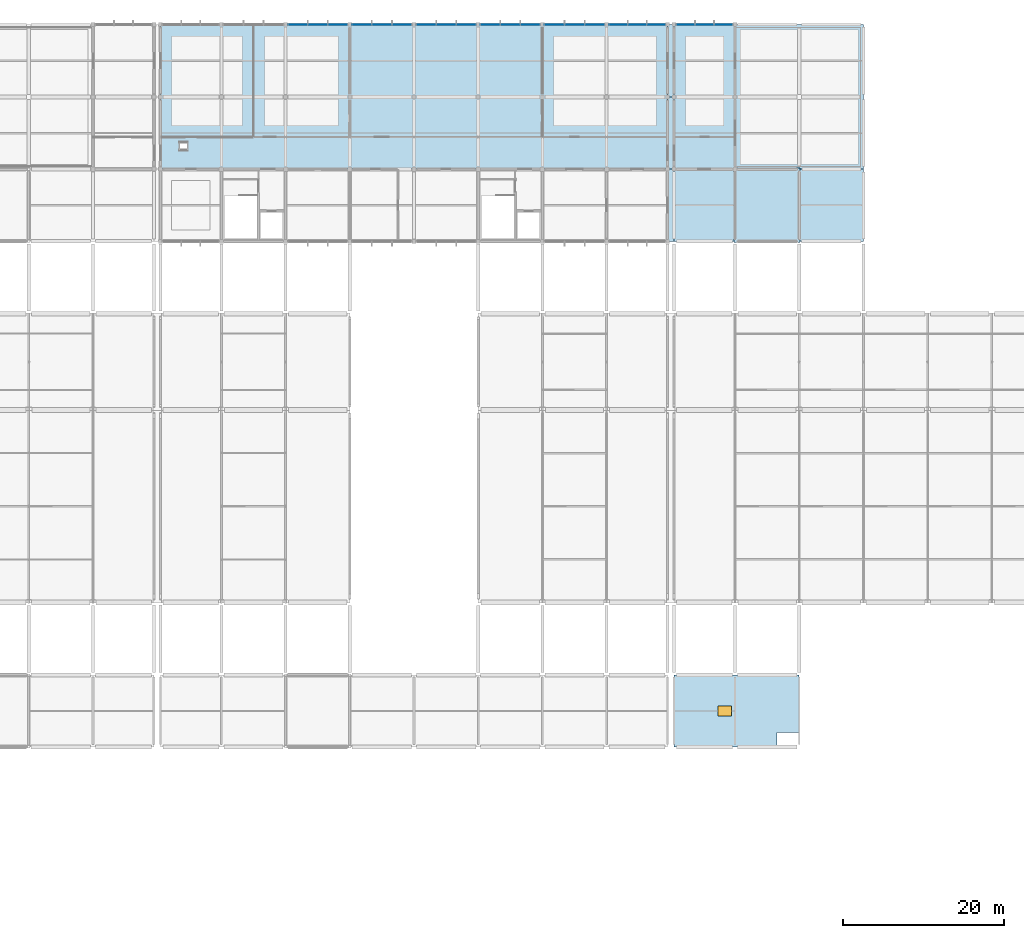
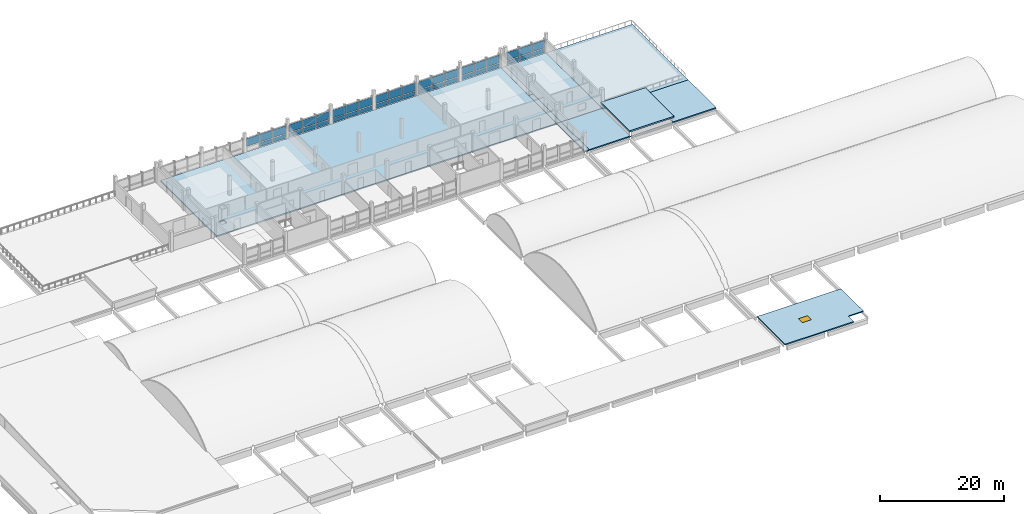
# One storey, part 44 of 57: 41 plates, 9 slabs, 1 window, 1 opening, 7 elements without a shape of their own.
"""IFC4 building model written with IfcOpenShell, lengths in metres."""

from ifc_helpers import new_model, si_unit, direction, frame, origin, origin_2d, place, context, subcontext, project, spatial, polyline, rectangle, outline, extrude, material, layer, layer_set, type_object, element, fill, aggregate, save


model = new_model("IFC4")

# Units and contexts
model_context = context("Model", 3, precision=1e-05, world=origin(), true_north=direction((0.0, 1.0)))
body_context = subcontext(model_context, "Body", "Model", "MODEL_VIEW")
ifc_project = project(units=[si_unit("LENGTHUNIT", "METRE"), si_unit("AREAUNIT", "SQUARE_METRE"), si_unit("VOLUMEUNIT", "CUBIC_METRE"), si_unit("PLANEANGLEUNIT", "RADIAN"), si_unit("MASSUNIT", "GRAM", prefix="KILO"), si_unit("THERMODYNAMICTEMPERATUREUNIT", "KELVIN"), si_unit("POWERUNIT", "WATT")], contexts=[model_context])

# Site, building, storey
site_placement = place(None, origin())
site = spatial("IfcSite", under=ifc_project, at=site_placement, CompositionType="ELEMENT")
building_placement = place(site_placement, origin())
building = spatial("IfcBuilding", under=site, at=building_placement, Name="Kronsvod Quay Wholesale Market", CompositionType="ELEMENT")
storey_placement = place(building_placement, frame((0.0, 0.0, 13.199951171875)))
storey = spatial("IfcBuildingStorey", under=building, at=storey_placement, Name="L03", CompositionType="ELEMENT", Elevation=13.199951171875)

# Curtain wall, plate
ifc_material_1 = material(Name="Thermally broken aluminium and triple low-E glazing", Category="aluminium")
curtain_wall_type_1 = type_object("IfcCurtainWallType", Name="CW_Harbour76x30", PredefinedType="NOTDEFINED", material=ifc_material_1)
curtain_wall_1_placement = place(storey_placement, origin())
curtain_wall_1 = element("IfcCurtainWall", 1, at=curtain_wall_1_placement, inside=storey, type_object=curtain_wall_type_1, Name="CWGX-L03-1200-1260", PredefinedType="NOTDEFINED")
ifc_material_2 = material(Name="Insulated aluminium spandrel panel", Category="aluminium")
ifc_layer_1 = layer(ifc_material_2, 0.048095703125)
ifc_layer_set_1 = layer_set([ifc_layer_1], Name="Insulated aluminium spandrel panel")
plate_type_1 = type_object("IfcPlateType", Name="CWPanel_SP2257x775", PredefinedType="CURTAIN_PANEL", material=ifc_layer_set_1)
plate_1_placement = place(storey_placement, frame((126.1513671875, 126.0, 0.150146484375), z_axis=(0.0, 0.0, 1.0), x_axis=(-1.0, 0.0, 0.0)))
plate_1 = element("IfcPlate", 2, at=plate_1_placement, type_object=plate_type_1, Name="CWGX-L03-1200-1260-PS1", PredefinedType="CURTAIN_PANEL", context=body_context, shape_type="SweptSolid", body=[
    extrude(rectangle(XDim=2.257080078125, YDim=0.048095703125, at=origin_2d()), origin(), (0.0, 0.0, 1.0), 0.77490234375),
])

# Curtain wall, plates
curtain_wall_2_placement = place(storey_placement, origin())
curtain_wall_2 = element("IfcCurtainWall", 3, at=curtain_wall_2_placement, inside=storey, type_object=curtain_wall_type_1, Name="CWGX-L03-1284-1260", PredefinedType="NOTDEFINED")
plate_2_placement = place(storey_placement, frame((134.55126953125, 126.0, 0.150146484375), z_axis=(0.0, 0.0, 1.0), x_axis=(-1.0, 0.0, 0.0)))
plate_2 = element("IfcPlate", 4, at=plate_2_placement, type_object=plate_type_1, Name="CWGX-L03-1284-1260-PS1", PredefinedType="CURTAIN_PANEL", context=body_context, shape_type="SweptSolid", body=[
    extrude(rectangle(XDim=2.257080078125, YDim=0.048095703125, at=origin_2d()), origin(), (0.0, 0.0, 1.0), 0.77490234375),
])
plate_3_placement = place(storey_placement, frame((129.8486328125, 126.0, 0.150146484375), z_axis=(0.0, 0.0, 1.0), x_axis=(-1.0, 0.0, 0.0)))
plate_3 = element("IfcPlate", 5, at=plate_3_placement, type_object=plate_type_1, Name="CWGX-L03-1284-1260-PS3", PredefinedType="CURTAIN_PANEL", context=body_context, shape_type="SweptSolid", body=[
    extrude(rectangle(XDim=2.257080078125, YDim=0.048095703125, at=origin_2d()), origin(), (0.0, 0.0, 1.0), 0.77490234375),
])

# Plate
ifc_material_3 = material(Name="Insulated aluminium spandrel panel", Category="aluminium")
ifc_layer_2 = layer(ifc_material_3, 0.048095703125)
ifc_layer_set_2 = layer_set([ifc_layer_2], Name="Insulated aluminium spandrel panel")
plate_type_2 = type_object("IfcPlateType", Name="CWPanel_SP2258x775", PredefinedType="CURTAIN_PANEL", material=ifc_layer_set_2)
plate_4_placement = place(storey_placement, frame((121.44873046875, 126.0, 0.150146484375), z_axis=(0.0, 0.0, 1.0), x_axis=(-1.0, 0.0, 0.0)))
plate_4 = element("IfcPlate", 6, at=plate_4_placement, type_object=plate_type_2, Name="CWGX-L03-1200-1260-PS3", PredefinedType="CURTAIN_PANEL", context=body_context, shape_type="SweptSolid", body=[
    extrude(rectangle(XDim=2.258056640625, YDim=0.048095703125, at=origin_2d()), origin(), (0.0, 0.0, 1.0), 0.77490234375),
])

ifc_material_4 = material(Name="Insulated aluminium spandrel panel", Category="aluminium")
ifc_layer_3 = layer(ifc_material_4, 0.048095703125)
ifc_layer_set_3 = layer_set([ifc_layer_3], Name="Insulated aluminium spandrel panel")
plate_type_3 = type_object("IfcPlateType", Name="CWPanel_SP2295x775", PredefinedType="CURTAIN_PANEL", material=ifc_layer_set_3)
plate_5_placement = place(storey_placement, frame((123.800048828125, 126.0, 0.150146484375), z_axis=(0.0, 0.0, 1.0), x_axis=(-1.0, 0.0, 0.0)))
plate_5 = element("IfcPlate", 7, at=plate_5_placement, type_object=plate_type_3, Name="CWGX-L03-1200-1260-PS2", PredefinedType="CURTAIN_PANEL", context=body_context, shape_type="SweptSolid", body=[
    extrude(rectangle(XDim=2.294921875, YDim=0.048095703125, at=origin_2d()), origin(), (0.0, 0.0, 1.0), 0.77490234375),
])

plate_6_placement = place(storey_placement, frame((132.199951171875, 126.0, 0.150146484375), z_axis=(0.0, 0.0, 1.0), x_axis=(-1.0, 0.0, 0.0)))
plate_6 = element("IfcPlate", 8, at=plate_6_placement, type_object=plate_type_3, Name="CWGX-L03-1284-1260-PS2", PredefinedType="CURTAIN_PANEL", context=body_context, shape_type="SweptSolid", body=[
    extrude(rectangle(XDim=2.294921875, YDim=0.048095703125, at=origin_2d()), origin(), (0.0, 0.0, 1.0), 0.77490234375),
])

# Curtain wall, plate
ifc_material_5 = material(Name="Thermally broken aluminium and triple low-E glazing", Category="aluminium")
curtain_wall_type_2 = type_object("IfcCurtainWallType", Name="CW_Harbour80x30", PredefinedType="NOTDEFINED", material=ifc_material_5)
curtain_wall_3_placement = place(storey_placement, origin())
curtain_wall_3 = element("IfcCurtainWall", 9, at=curtain_wall_3_placement, inside=storey, type_object=curtain_wall_type_2, Name="CWGX-L03-800-1260", PredefinedType="NOTDEFINED")
ifc_material_6 = material(Name="Insulated aluminium spandrel panel", Category="aluminium")
ifc_layer_4 = layer(ifc_material_6, 0.048095703125)
ifc_layer_set_4 = layer_set([ifc_layer_4], Name="Insulated aluminium spandrel panel")
plate_type_4 = type_object("IfcPlateType", Name="CWPanel_SP2391x775", PredefinedType="CURTAIN_PANEL", material=ifc_layer_set_4)
plate_7_placement = place(storey_placement, frame((86.484619140625, 126.0, 0.150146484375), z_axis=(0.0, 0.0, 1.0), x_axis=(-1.0, 0.0, 0.0)))
plate_7 = element("IfcPlate", 10, at=plate_7_placement, type_object=plate_type_4, Name="CWGX-L03-800-1260-PS1", PredefinedType="CURTAIN_PANEL", context=body_context, shape_type="SweptSolid", body=[
    extrude(rectangle(XDim=2.39111328125, YDim=0.048095703125, at=origin_2d()), origin(), (0.0, 0.0, 1.0), 0.77490234375),
])

# Curtain wall, plates
curtain_wall_4_placement = place(storey_placement, origin())
curtain_wall_4 = element("IfcCurtainWall", 11, at=curtain_wall_4_placement, inside=storey, type_object=curtain_wall_type_2, Name="CWGX-L03-880-1260", PredefinedType="NOTDEFINED")
plate_8_placement = place(storey_placement, frame((94.484619140625, 126.0, 0.150146484375), z_axis=(0.0, 0.0, 1.0), x_axis=(-1.0, 0.0, 0.0)))
plate_8 = element("IfcPlate", 12, at=plate_8_placement, type_object=plate_type_4, Name="CWGX-L03-880-1260-PS1", PredefinedType="CURTAIN_PANEL", context=body_context, shape_type="SweptSolid", body=[
    extrude(rectangle(XDim=2.39111328125, YDim=0.048095703125, at=origin_2d()), origin(), (0.0, 0.0, 1.0), 0.77490234375),
])
plate_9_placement = place(storey_placement, frame((89.515380859375, 126.0, 0.150146484375), z_axis=(0.0, 0.0, 1.0), x_axis=(-1.0, 0.0, 0.0)))
plate_9 = element("IfcPlate", 13, at=plate_9_placement, type_object=plate_type_4, Name="CWGX-L03-880-1260-PS3", PredefinedType="CURTAIN_PANEL", context=body_context, shape_type="SweptSolid", body=[
    extrude(rectangle(XDim=2.39111328125, YDim=0.048095703125, at=origin_2d()), origin(), (0.0, 0.0, 1.0), 0.77490234375),
])

curtain_wall_5_placement = place(storey_placement, origin())
curtain_wall_5 = element("IfcCurtainWall", 14, at=curtain_wall_5_placement, inside=storey, type_object=curtain_wall_type_2, Name="CWGX-L03-960-1260", PredefinedType="NOTDEFINED")
plate_10_placement = place(storey_placement, frame((102.484619140625, 126.0, 0.150146484375), z_axis=(0.0, 0.0, 1.0), x_axis=(-1.0, 0.0, 0.0)))
plate_10 = element("IfcPlate", 15, at=plate_10_placement, type_object=plate_type_4, Name="CWGX-L03-960-1260-PS1", PredefinedType="CURTAIN_PANEL", context=body_context, shape_type="SweptSolid", body=[
    extrude(rectangle(XDim=2.39111328125, YDim=0.048095703125, at=origin_2d()), origin(), (0.0, 0.0, 1.0), 0.77490234375),
])
plate_11_placement = place(storey_placement, frame((97.515380859375, 126.0, 0.150146484375), z_axis=(0.0, 0.0, 1.0), x_axis=(-1.0, 0.0, 0.0)))
plate_11 = element("IfcPlate", 16, at=plate_11_placement, type_object=plate_type_4, Name="CWGX-L03-960-1260-PS3", PredefinedType="CURTAIN_PANEL", context=body_context, shape_type="SweptSolid", body=[
    extrude(rectangle(XDim=2.39111328125, YDim=0.048095703125, at=origin_2d()), origin(), (0.0, 0.0, 1.0), 0.77490234375),
])

curtain_wall_6_placement = place(storey_placement, origin())
curtain_wall_6 = element("IfcCurtainWall", 17, at=curtain_wall_6_placement, inside=storey, type_object=curtain_wall_type_2, Name="CWGX-L03-1040-1260", PredefinedType="NOTDEFINED")
plate_12_placement = place(storey_placement, frame((110.484619140625, 126.0, 0.150146484375), z_axis=(0.0, 0.0, 1.0), x_axis=(-1.0, 0.0, 0.0)))
plate_12 = element("IfcPlate", 18, at=plate_12_placement, type_object=plate_type_4, Name="CWGX-L03-1040-1260-PS1", PredefinedType="CURTAIN_PANEL", context=body_context, shape_type="SweptSolid", body=[
    extrude(rectangle(XDim=2.39111328125, YDim=0.048095703125, at=origin_2d()), origin(), (0.0, 0.0, 1.0), 0.77490234375),
])
plate_13_placement = place(storey_placement, frame((105.515380859375, 126.0, 0.150146484375), z_axis=(0.0, 0.0, 1.0), x_axis=(-1.0, 0.0, 0.0)))
plate_13 = element("IfcPlate", 19, at=plate_13_placement, type_object=plate_type_4, Name="CWGX-L03-1040-1260-PS3", PredefinedType="CURTAIN_PANEL", context=body_context, shape_type="SweptSolid", body=[
    extrude(rectangle(XDim=2.39111328125, YDim=0.048095703125, at=origin_2d()), origin(), (0.0, 0.0, 1.0), 0.77490234375),
])

curtain_wall_7_placement = place(storey_placement, origin())
curtain_wall_7 = element("IfcCurtainWall", 20, at=curtain_wall_7_placement, inside=storey, type_object=curtain_wall_type_2, Name="CWGX-L03-1120-1260", PredefinedType="NOTDEFINED")
plate_14_placement = place(storey_placement, frame((118.484619140625, 126.0, 0.150146484375), z_axis=(0.0, 0.0, 1.0), x_axis=(-1.0, 0.0, 0.0)))
plate_14 = element("IfcPlate", 21, at=plate_14_placement, type_object=plate_type_4, Name="CWGX-L03-1120-1260-PS1", PredefinedType="CURTAIN_PANEL", context=body_context, shape_type="SweptSolid", body=[
    extrude(rectangle(XDim=2.39111328125, YDim=0.048095703125, at=origin_2d()), origin(), (0.0, 0.0, 1.0), 0.77490234375),
])
plate_15_placement = place(storey_placement, frame((113.515380859375, 126.0, 0.150146484375), z_axis=(0.0, 0.0, 1.0), x_axis=(-1.0, 0.0, 0.0)))
plate_15 = element("IfcPlate", 22, at=plate_15_placement, type_object=plate_type_4, Name="CWGX-L03-1120-1260-PS3", PredefinedType="CURTAIN_PANEL", context=body_context, shape_type="SweptSolid", body=[
    extrude(rectangle(XDim=2.39111328125, YDim=0.048095703125, at=origin_2d()), origin(), (0.0, 0.0, 1.0), 0.77490234375),
])

# Plate
ifc_material_7 = material(Name="Insulated aluminium spandrel panel", Category="aluminium")
ifc_layer_5 = layer(ifc_material_7, 0.048095703125)
ifc_layer_set_5 = layer_set([ifc_layer_5], Name="Insulated aluminium spandrel panel")
plate_type_5 = type_object("IfcPlateType", Name="CWPanel_SP2428x775", PredefinedType="CURTAIN_PANEL", material=ifc_layer_set_5)
plate_16_placement = place(storey_placement, frame((84.0, 126.0, 0.150146484375), z_axis=(0.0, 0.0, 1.0), x_axis=(-1.0, 0.0, 0.0)))
plate_16 = element("IfcPlate", 23, at=plate_16_placement, type_object=plate_type_5, Name="CWGX-L03-800-1260-PS2", PredefinedType="CURTAIN_PANEL", context=body_context, shape_type="SweptSolid", body=[
    extrude(rectangle(XDim=2.427978515625, YDim=0.048095703125, at=origin_2d()), origin(), (0.0, 0.0, 1.0), 0.77490234375),
])

plate_17_placement = place(storey_placement, frame((92.0, 126.0, 0.150146484375), z_axis=(0.0, 0.0, 1.0), x_axis=(-1.0, 0.0, 0.0)))
plate_17 = element("IfcPlate", 24, at=plate_17_placement, type_object=plate_type_5, Name="CWGX-L03-880-1260-PS2", PredefinedType="CURTAIN_PANEL", context=body_context, shape_type="SweptSolid", body=[
    extrude(rectangle(XDim=2.427978515625, YDim=0.048095703125, at=origin_2d()), origin(), (0.0, 0.0, 1.0), 0.77490234375),
])

plate_18_placement = place(storey_placement, frame((100.0, 126.0, 0.150146484375), z_axis=(0.0, 0.0, 1.0), x_axis=(-1.0, 0.0, 0.0)))
plate_18 = element("IfcPlate", 25, at=plate_18_placement, type_object=plate_type_5, Name="CWGX-L03-960-1260-PS2", PredefinedType="CURTAIN_PANEL", context=body_context, shape_type="SweptSolid", body=[
    extrude(rectangle(XDim=2.427978515625, YDim=0.048095703125, at=origin_2d()), origin(), (0.0, 0.0, 1.0), 0.77490234375),
])

plate_19_placement = place(storey_placement, frame((108.0, 126.0, 0.150146484375), z_axis=(0.0, 0.0, 1.0), x_axis=(-1.0, 0.0, 0.0)))
plate_19 = element("IfcPlate", 26, at=plate_19_placement, type_object=plate_type_5, Name="CWGX-L03-1040-1260-PS2", PredefinedType="CURTAIN_PANEL", context=body_context, shape_type="SweptSolid", body=[
    extrude(rectangle(XDim=2.427978515625, YDim=0.048095703125, at=origin_2d()), origin(), (0.0, 0.0, 1.0), 0.77490234375),
])

plate_20_placement = place(storey_placement, frame((116.0, 126.0, 0.150146484375), z_axis=(0.0, 0.0, 1.0), x_axis=(-1.0, 0.0, 0.0)))
plate_20 = element("IfcPlate", 27, at=plate_20_placement, type_object=plate_type_5, Name="CWGX-L03-1120-1260-PS2", PredefinedType="CURTAIN_PANEL", context=body_context, shape_type="SweptSolid", body=[
    extrude(rectangle(XDim=2.427978515625, YDim=0.048095703125, at=origin_2d()), origin(), (0.0, 0.0, 1.0), 0.77490234375),
])

ifc_material_8 = material(Name="Triple low-E insulated glazing", Category="glass")
ifc_layer_6 = layer(ifc_material_8, 0.0439453125)
ifc_layer_set_6 = layer_set([ifc_layer_6], Name="Triple low-E insulated glazing")
plate_type_6 = type_object("IfcPlateType", Name="CWPanel_VS2257x1525", PredefinedType="CURTAIN_PANEL", material=ifc_layer_set_6)
plate_21_placement = place(storey_placement, frame((126.1513671875, 126.0, 1.0751953125), z_axis=(0.0, 0.0, 1.0), x_axis=(-1.0, 0.0, 0.0)))
plate_21 = element("IfcPlate", 28, at=plate_21_placement, type_object=plate_type_6, Name="CWGX-L03-1200-1260-PV1", PredefinedType="CURTAIN_PANEL", context=body_context, shape_type="SweptSolid", body=[
    extrude(rectangle(XDim=2.257080078125, YDim=0.0439453125, at=origin_2d()), origin(), (0.0, 0.0, 1.0), 1.52490234375),
])

plate_22_placement = place(storey_placement, frame((134.55126953125, 126.0, 1.0751953125), z_axis=(0.0, 0.0, 1.0), x_axis=(-1.0, 0.0, 0.0)))
plate_22 = element("IfcPlate", 29, at=plate_22_placement, type_object=plate_type_6, Name="CWGX-L03-1284-1260-PV1", PredefinedType="CURTAIN_PANEL", context=body_context, shape_type="SweptSolid", body=[
    extrude(rectangle(XDim=2.257080078125, YDim=0.0439453125, at=origin_2d()), origin(), (0.0, 0.0, 1.0), 1.52490234375),
])

plate_23_placement = place(storey_placement, frame((129.8486328125, 126.0, 1.0751953125), z_axis=(0.0, 0.0, 1.0), x_axis=(-1.0, 0.0, 0.0)))
plate_23 = element("IfcPlate", 30, at=plate_23_placement, type_object=plate_type_6, Name="CWGX-L03-1284-1260-PV3", PredefinedType="CURTAIN_PANEL", context=body_context, shape_type="SweptSolid", body=[
    extrude(rectangle(XDim=2.257080078125, YDim=0.0439453125, at=origin_2d()), origin(), (0.0, 0.0, 1.0), 1.52490234375),
])

ifc_material_9 = material(Name="Triple low-E insulated glazing", Category="glass")
ifc_layer_7 = layer(ifc_material_9, 0.0439453125)
ifc_layer_set_7 = layer_set([ifc_layer_7], Name="Triple low-E insulated glazing")
plate_type_7 = type_object("IfcPlateType", Name="CWPanel_VS2258x1525", PredefinedType="CURTAIN_PANEL", material=ifc_layer_set_7)
plate_24_placement = place(storey_placement, frame((121.44873046875, 126.0, 1.0751953125), z_axis=(0.0, 0.0, 1.0), x_axis=(-1.0, 0.0, 0.0)))
plate_24 = element("IfcPlate", 31, at=plate_24_placement, type_object=plate_type_7, Name="CWGX-L03-1200-1260-PV3", PredefinedType="CURTAIN_PANEL", context=body_context, shape_type="SweptSolid", body=[
    extrude(rectangle(XDim=2.258056640625, YDim=0.0439453125, at=origin_2d()), origin(), (0.0, 0.0, 1.0), 1.52490234375),
])

ifc_material_10 = material(Name="Triple low-E insulated glazing", Category="glass")
ifc_layer_8 = layer(ifc_material_10, 0.0439453125)
ifc_layer_set_8 = layer_set([ifc_layer_8], Name="Triple low-E insulated glazing")
plate_type_8 = type_object("IfcPlateType", Name="CWPanel_VS2295x1525", PredefinedType="CURTAIN_PANEL", material=ifc_layer_set_8)
plate_25_placement = place(storey_placement, frame((123.800048828125, 126.0, 1.0751953125), z_axis=(0.0, 0.0, 1.0), x_axis=(-1.0, 0.0, 0.0)))
plate_25 = element("IfcPlate", 32, at=plate_25_placement, type_object=plate_type_8, Name="CWGX-L03-1200-1260-PV2", PredefinedType="CURTAIN_PANEL", context=body_context, shape_type="SweptSolid", body=[
    extrude(rectangle(XDim=2.294921875, YDim=0.0439453125, at=origin_2d()), origin(), (0.0, 0.0, 1.0), 1.52490234375),
])

aggregate(curtain_wall_1, [plate_1, plate_21, plate_5, plate_25, plate_4, plate_24])

plate_26_placement = place(storey_placement, frame((132.199951171875, 126.0, 1.0751953125), z_axis=(0.0, 0.0, 1.0), x_axis=(-1.0, 0.0, 0.0)))
plate_26 = element("IfcPlate", 33, at=plate_26_placement, type_object=plate_type_8, Name="CWGX-L03-1284-1260-PV2", PredefinedType="CURTAIN_PANEL", context=body_context, shape_type="SweptSolid", body=[
    extrude(rectangle(XDim=2.294921875, YDim=0.0439453125, at=origin_2d()), origin(), (0.0, 0.0, 1.0), 1.52490234375),
])

aggregate(curtain_wall_2, [plate_2, plate_22, plate_6, plate_26, plate_3, plate_23])

ifc_material_11 = material(Name="Triple low-E insulated glazing", Category="glass")
ifc_layer_9 = layer(ifc_material_11, 0.0439453125)
ifc_layer_set_9 = layer_set([ifc_layer_9], Name="Triple low-E insulated glazing")
plate_type_9 = type_object("IfcPlateType", Name="CWPanel_VS2391x1525", PredefinedType="CURTAIN_PANEL", material=ifc_layer_set_9)
plate_27_placement = place(storey_placement, frame((86.484619140625, 126.0, 1.0751953125), z_axis=(0.0, 0.0, 1.0), x_axis=(-1.0, 0.0, 0.0)))
plate_27 = element("IfcPlate", 34, at=plate_27_placement, type_object=plate_type_9, Name="CWGX-L03-800-1260-PV1", PredefinedType="CURTAIN_PANEL", context=body_context, shape_type="SweptSolid", body=[
    extrude(rectangle(XDim=2.39111328125, YDim=0.0439453125, at=origin_2d()), origin(), (0.0, 0.0, 1.0), 1.52490234375),
])

plate_28_placement = place(storey_placement, frame((81.515380859375, 126.0, 1.0751953125), z_axis=(0.0, 0.0, 1.0), x_axis=(-1.0, 0.0, 0.0)))
plate_28 = element("IfcPlate", 35, at=plate_28_placement, type_object=plate_type_9, Name="CWGX-L03-800-1260-PV3", PredefinedType="CURTAIN_PANEL", context=body_context, shape_type="SweptSolid", body=[
    extrude(rectangle(XDim=2.39111328125, YDim=0.0439453125, at=origin_2d()), origin(), (0.0, 0.0, 1.0), 1.52490234375),
])

plate_29_placement = place(storey_placement, frame((94.484619140625, 126.0, 1.0751953125), z_axis=(0.0, 0.0, 1.0), x_axis=(-1.0, 0.0, 0.0)))
plate_29 = element("IfcPlate", 36, at=plate_29_placement, type_object=plate_type_9, Name="CWGX-L03-880-1260-PV1", PredefinedType="CURTAIN_PANEL", context=body_context, shape_type="SweptSolid", body=[
    extrude(rectangle(XDim=2.39111328125, YDim=0.0439453125, at=origin_2d()), origin(), (0.0, 0.0, 1.0), 1.52490234375),
])

plate_30_placement = place(storey_placement, frame((89.515380859375, 126.0, 1.0751953125), z_axis=(0.0, 0.0, 1.0), x_axis=(-1.0, 0.0, 0.0)))
plate_30 = element("IfcPlate", 37, at=plate_30_placement, type_object=plate_type_9, Name="CWGX-L03-880-1260-PV3", PredefinedType="CURTAIN_PANEL", context=body_context, shape_type="SweptSolid", body=[
    extrude(rectangle(XDim=2.39111328125, YDim=0.0439453125, at=origin_2d()), origin(), (0.0, 0.0, 1.0), 1.52490234375),
])

plate_31_placement = place(storey_placement, frame((102.484619140625, 126.0, 1.0751953125), z_axis=(0.0, 0.0, 1.0), x_axis=(-1.0, 0.0, 0.0)))
plate_31 = element("IfcPlate", 38, at=plate_31_placement, type_object=plate_type_9, Name="CWGX-L03-960-1260-PV1", PredefinedType="CURTAIN_PANEL", context=body_context, shape_type="SweptSolid", body=[
    extrude(rectangle(XDim=2.39111328125, YDim=0.0439453125, at=origin_2d()), origin(), (0.0, 0.0, 1.0), 1.52490234375),
])

plate_32_placement = place(storey_placement, frame((97.515380859375, 126.0, 1.0751953125), z_axis=(0.0, 0.0, 1.0), x_axis=(-1.0, 0.0, 0.0)))
plate_32 = element("IfcPlate", 39, at=plate_32_placement, type_object=plate_type_9, Name="CWGX-L03-960-1260-PV3", PredefinedType="CURTAIN_PANEL", context=body_context, shape_type="SweptSolid", body=[
    extrude(rectangle(XDim=2.39111328125, YDim=0.0439453125, at=origin_2d()), origin(), (0.0, 0.0, 1.0), 1.52490234375),
])

plate_33_placement = place(storey_placement, frame((110.484619140625, 126.0, 1.0751953125), z_axis=(0.0, 0.0, 1.0), x_axis=(-1.0, 0.0, 0.0)))
plate_33 = element("IfcPlate", 40, at=plate_33_placement, type_object=plate_type_9, Name="CWGX-L03-1040-1260-PV1", PredefinedType="CURTAIN_PANEL", context=body_context, shape_type="SweptSolid", body=[
    extrude(rectangle(XDim=2.39111328125, YDim=0.0439453125, at=origin_2d()), origin(), (0.0, 0.0, 1.0), 1.52490234375),
])

plate_34_placement = place(storey_placement, frame((105.515380859375, 126.0, 1.0751953125), z_axis=(0.0, 0.0, 1.0), x_axis=(-1.0, 0.0, 0.0)))
plate_34 = element("IfcPlate", 41, at=plate_34_placement, type_object=plate_type_9, Name="CWGX-L03-1040-1260-PV3", PredefinedType="CURTAIN_PANEL", context=body_context, shape_type="SweptSolid", body=[
    extrude(rectangle(XDim=2.39111328125, YDim=0.0439453125, at=origin_2d()), origin(), (0.0, 0.0, 1.0), 1.52490234375),
])

plate_35_placement = place(storey_placement, frame((118.484619140625, 126.0, 1.0751953125), z_axis=(0.0, 0.0, 1.0), x_axis=(-1.0, 0.0, 0.0)))
plate_35 = element("IfcPlate", 42, at=plate_35_placement, type_object=plate_type_9, Name="CWGX-L03-1120-1260-PV1", PredefinedType="CURTAIN_PANEL", context=body_context, shape_type="SweptSolid", body=[
    extrude(rectangle(XDim=2.39111328125, YDim=0.0439453125, at=origin_2d()), origin(), (0.0, 0.0, 1.0), 1.52490234375),
])

plate_36_placement = place(storey_placement, frame((113.515380859375, 126.0, 1.0751953125), z_axis=(0.0, 0.0, 1.0), x_axis=(-1.0, 0.0, 0.0)))
plate_36 = element("IfcPlate", 43, at=plate_36_placement, type_object=plate_type_9, Name="CWGX-L03-1120-1260-PV3", PredefinedType="CURTAIN_PANEL", context=body_context, shape_type="SweptSolid", body=[
    extrude(rectangle(XDim=2.39111328125, YDim=0.0439453125, at=origin_2d()), origin(), (0.0, 0.0, 1.0), 1.52490234375),
])

ifc_material_12 = material(Name="Triple low-E insulated glazing", Category="glass")
ifc_layer_10 = layer(ifc_material_12, 0.0439453125)
ifc_layer_set_10 = layer_set([ifc_layer_10], Name="Triple low-E insulated glazing")
plate_type_10 = type_object("IfcPlateType", Name="CWPanel_VS2428x1525", PredefinedType="CURTAIN_PANEL", material=ifc_layer_set_10)
plate_37_placement = place(storey_placement, frame((84.0, 126.0, 1.0751953125), z_axis=(0.0, 0.0, 1.0), x_axis=(-1.0, 0.0, 0.0)))
plate_37 = element("IfcPlate", 44, at=plate_37_placement, type_object=plate_type_10, Name="CWGX-L03-800-1260-PV2", PredefinedType="CURTAIN_PANEL", context=body_context, shape_type="SweptSolid", body=[
    extrude(rectangle(XDim=2.427978515625, YDim=0.0439453125, at=origin_2d()), origin(), (0.0, 0.0, 1.0), 1.52490234375),
])

aggregate(curtain_wall_3, [plate_7, plate_27, plate_16, plate_37, plate_28])

plate_38_placement = place(storey_placement, frame((92.0, 126.0, 1.0751953125), z_axis=(0.0, 0.0, 1.0), x_axis=(-1.0, 0.0, 0.0)))
plate_38 = element("IfcPlate", 45, at=plate_38_placement, type_object=plate_type_10, Name="CWGX-L03-880-1260-PV2", PredefinedType="CURTAIN_PANEL", context=body_context, shape_type="SweptSolid", body=[
    extrude(rectangle(XDim=2.427978515625, YDim=0.0439453125, at=origin_2d()), origin(), (0.0, 0.0, 1.0), 1.52490234375),
])

aggregate(curtain_wall_4, [plate_8, plate_29, plate_17, plate_38, plate_9, plate_30])

plate_39_placement = place(storey_placement, frame((100.0, 126.0, 1.0751953125), z_axis=(0.0, 0.0, 1.0), x_axis=(-1.0, 0.0, 0.0)))
plate_39 = element("IfcPlate", 46, at=plate_39_placement, type_object=plate_type_10, Name="CWGX-L03-960-1260-PV2", PredefinedType="CURTAIN_PANEL", context=body_context, shape_type="SweptSolid", body=[
    extrude(rectangle(XDim=2.427978515625, YDim=0.0439453125, at=origin_2d()), origin(), (0.0, 0.0, 1.0), 1.52490234375),
])

aggregate(curtain_wall_5, [plate_10, plate_31, plate_18, plate_39, plate_11, plate_32])

plate_40_placement = place(storey_placement, frame((108.0, 126.0, 1.0751953125), z_axis=(0.0, 0.0, 1.0), x_axis=(-1.0, 0.0, 0.0)))
plate_40 = element("IfcPlate", 47, at=plate_40_placement, type_object=plate_type_10, Name="CWGX-L03-1040-1260-PV2", PredefinedType="CURTAIN_PANEL", context=body_context, shape_type="SweptSolid", body=[
    extrude(rectangle(XDim=2.427978515625, YDim=0.0439453125, at=origin_2d()), origin(), (0.0, 0.0, 1.0), 1.52490234375),
])

aggregate(curtain_wall_6, [plate_12, plate_33, plate_19, plate_40, plate_13, plate_34])

plate_41_placement = place(storey_placement, frame((116.0, 126.0, 1.0751953125), z_axis=(0.0, 0.0, 1.0), x_axis=(-1.0, 0.0, 0.0)))
plate_41 = element("IfcPlate", 48, at=plate_41_placement, type_object=plate_type_10, Name="CWGX-L03-1120-1260-PV2", PredefinedType="CURTAIN_PANEL", context=body_context, shape_type="SweptSolid", body=[
    extrude(rectangle(XDim=2.427978515625, YDim=0.0439453125, at=origin_2d()), origin(), (0.0, 0.0, 1.0), 1.52490234375),
])

aggregate(curtain_wall_7, [plate_14, plate_35, plate_20, plate_41, plate_15, plate_36])

# Slab, opening, window
ifc_material_13 = material(Name="Precast concrete C40/50", Category="concrete")
ifc_layer_11 = layer(ifc_material_13, 0.219970703125)
ifc_layer_set_11 = layer_set([ifc_layer_11], Name="Precast concrete C40/50")
slab_type_1 = type_object("IfcSlabType", Name="Slab_FlatRoof220", PredefinedType="ROOF", material=ifc_layer_set_11)
slab_1_placement = place(storey_placement, frame((0.0, 0.0, -0.219970703125)))
slab_1 = element("IfcSlab", 49, at=slab_1_placement, inside=storey, type_object=slab_type_1, Name="SLB-L03-154", PredefinedType="ROOF", context=body_context, shape_type="SweptSolid", body=[
    extrude(outline(polyline([(128.419921875, 36.0), (141.199951171875, 36.0), (141.199951171875, 37.800048828125), (144.0, 37.800048828125), (144.0, 45.0), (128.419921875, 45.0), (128.419921875, 36.0)])), origin(), (0.0, 0.0, 1.0), 0.219970703125),
])
opening_placement = place(slab_1_placement, frame((134.7099609375, 40.5, 0.0)))
opening = element("IfcOpeningElement", 50, at=opening_placement, cuts=slab_1, Name="Opening SKY-08", PredefinedType="OPENING", context=body_context, shape_type="SweptSolid", body=[
    extrude(rectangle(XDim=1.64990234375, YDim=1.25, at=origin_2d()), frame((0.0, 0.0, -0.010009765625)), (0.0, 0.0, 1.0), 0.239990234375),
])
ifc_material_14 = material(Name="Thermally broken aluminium and triple low-E glazing", Category="aluminium")
window_type = type_object("IfcWindowType", Name="Skylight_Daylight165x125", PartitioningType="SINGLE_PANEL", PredefinedType="SKYLIGHT", material=ifc_material_14)
window_placement = place(opening_placement, frame((0.0, 0.0, 0.169921875)))
window = element("IfcWindow", 51, at=window_placement, inside=storey, type_object=window_type, Name="SKY-08", OverallHeight=1.25, OverallWidth=1.64990234375, PartitioningType="SINGLE_PANEL", PredefinedType="SKYLIGHT", context=body_context, shape_type="SweptSolid", body=[
    extrude(rectangle(XDim=1.64990234375, YDim=1.25, at=origin_2d()), origin(), (0.0, 0.0, 1.0), 0.050048828125),
])
fill(opening, window)

# Slabs
slab_2_placement = place(storey_placement, frame((0.0, 0.0, -0.219970703125)))
element("IfcSlab", 52, at=slab_2_placement, inside=storey, type_object=slab_type_1, Name="SLB-L03-155", PredefinedType="ROOF", context=body_context, shape_type="SweptSolid", body=[
    extrude(outline(polyline([(128.419921875, 99.0), (152.0, 99.0), (152.0, 108.0), (128.419921875, 108.0), (128.419921875, 99.0)]), holes=[polyline([(136.02001953125, 99.02001953125), (143.97998046875, 99.02001953125), (143.97998046875, 107.97998046875), (136.02001953125, 107.97998046875), (136.02001953125, 99.02001953125)])]), origin(), (0.0, 0.0, 1.0), 0.219970703125),
])
ifc_material_15 = material(Name="Concrete C35/45", Category="concrete")
ifc_layer_12 = layer(ifc_material_15, 0.25)
ifc_layer_set_12 = layer_set([ifc_layer_12], Name="Concrete C35/45")
slab_type_2 = type_object("IfcSlabType", Name="Slab_Floor250", PredefinedType="FLOOR", material=ifc_layer_set_12)
slab_3_placement = place(storey_placement, frame((0.0, 0.0, -0.25)))
element("IfcSlab", 53, at=slab_3_placement, inside=storey, type_object=slab_type_2, Name="SLB-L03-153", PredefinedType="FLOOR", context=body_context, shape_type="SweptSolid", body=[
    extrude(outline(polyline([(64.419921875, 108.0), (127.580078125, 108.0), (127.580078125, 126.0), (64.419921875, 126.0), (64.419921875, 108.0)]), holes=[polyline([(66.820068359375, 110.39990234375), (67.719970703125, 110.39990234375), (67.719970703125, 111.300048828125), (66.820068359375, 111.300048828125), (66.820068359375, 110.39990234375)])]), origin(), (0.0, 0.0, 1.0), 0.25),
])
slab_4_placement = place(storey_placement, frame((0.0, 0.0, -0.25)))
element("IfcSlab", 54, at=slab_4_placement, inside=storey, type_object=slab_type_2, Name="SLB-L03-156", PredefinedType="FLOOR", context=body_context, shape_type="SweptSolid", body=[
    extrude(outline(polyline([(128.419921875, 108.0), (136.0, 108.0), (136.0, 126.0), (128.419921875, 126.0), (128.419921875, 108.0)])), origin(), (0.0, 0.0, 1.0), 0.25),
])
ifc_material_16 = material(Name="Concrete C35/45", Category="concrete")
ifc_layer_13 = layer(ifc_material_16, 0.31005859375)
ifc_layer_set_13 = layer_set([ifc_layer_13], Name="Concrete C35/45")
slab_type_3 = type_object("IfcSlabType", Name="Slab_GardenDeck310", PredefinedType="FLOOR", material=ifc_layer_set_13)
slab_5_placement = place(storey_placement, frame((0.0, 0.0, -0.31005859375)))
element("IfcSlab", 55, at=slab_5_placement, inside=storey, type_object=slab_type_3, Name="SLB-L03-157", PredefinedType="FLOOR", context=body_context, shape_type="SweptSolid", body=[
    extrude(outline(polyline([(136.0, 108.0), (152.0, 108.0), (152.0, 126.0), (136.0, 126.0), (136.0, 108.0)])), origin(), (0.0, 0.0, 1.0), 0.31005859375),
])
ifc_material_17 = material(Name="Concrete C35/45", Category="concrete")
ifc_layer_14 = layer(ifc_material_17, 0.2451171875)
ifc_layer_set_14 = layer_set([ifc_layer_14], Name="Concrete C35/45")
slab_type_4 = type_object("IfcSlabType", Name="Slab_JointBridge245", PredefinedType="FLOOR", material=ifc_layer_set_14)
slab_6_placement = place(storey_placement, frame((0.0, 0.0, -0.244873046875)))
element("IfcSlab", 56, at=slab_6_placement, inside=storey, type_object=slab_type_4, Name="SLB-MJ-L03-J2-99", PredefinedType="FLOOR", context=body_context, shape_type="SweptSolid", body=[
    extrude(outline(polyline([(127.580078125, 99.0), (128.419921875, 99.0), (128.419921875, 108.0), (127.580078125, 108.0), (127.580078125, 99.0)])), origin(), (0.0, 0.0, 1.0), 0.244873046875),
])
slab_7_placement = place(storey_placement, frame((0.0, 0.0, -0.244873046875)))
element("IfcSlab", 57, at=slab_7_placement, inside=storey, type_object=slab_type_4, Name="SLB-MJ-L03-J2-108", PredefinedType="FLOOR", context=body_context, shape_type="SweptSolid", body=[
    extrude(outline(polyline([(127.580078125, 108.0), (128.419921875, 108.0), (128.419921875, 117.0), (127.580078125, 117.0), (127.580078125, 108.0)])), origin(), (0.0, 0.0, 1.0), 0.244873046875),
])
slab_8_placement = place(storey_placement, frame((0.0, 0.0, -0.244873046875)))
element("IfcSlab", 58, at=slab_8_placement, inside=storey, type_object=slab_type_4, Name="SLB-MJ-L03-J2-117", PredefinedType="FLOOR", context=body_context, shape_type="SweptSolid", body=[
    extrude(outline(polyline([(127.580078125, 117.0), (128.419921875, 117.0), (128.419921875, 126.0), (127.580078125, 126.0), (127.580078125, 117.0)])), origin(), (0.0, 0.0, 1.0), 0.244873046875),
])
ifc_material_18 = material(Name="Concrete C35/45", Category="concrete")
ifc_layer_15 = layer(ifc_material_18, 0.284912109375)
ifc_layer_set_15 = layer_set([ifc_layer_15], Name="Concrete C35/45")
slab_type_5 = type_object("IfcSlabType", Name="Slab_OverrunRoof285", PredefinedType="ROOF", material=ifc_layer_set_15)
slab_9_placement = place(storey_placement, frame((0.0, 0.0, 0.864990234375)))
element("IfcSlab", 59, at=slab_9_placement, inside=storey, type_object=slab_type_5, Name="SLB-OR-C10", PredefinedType="ROOF", context=body_context, shape_type="SweptSolid", body=[
    extrude(outline(polyline([(135.8798828125, 98.8798828125), (144.1201171875, 98.8798828125), (144.1201171875, 108.1201171875), (135.8798828125, 108.1201171875), (135.8798828125, 98.8798828125)])), origin(), (0.0, 0.0, 1.0), 0.28515625),
])

save(model, "model.ifc")
